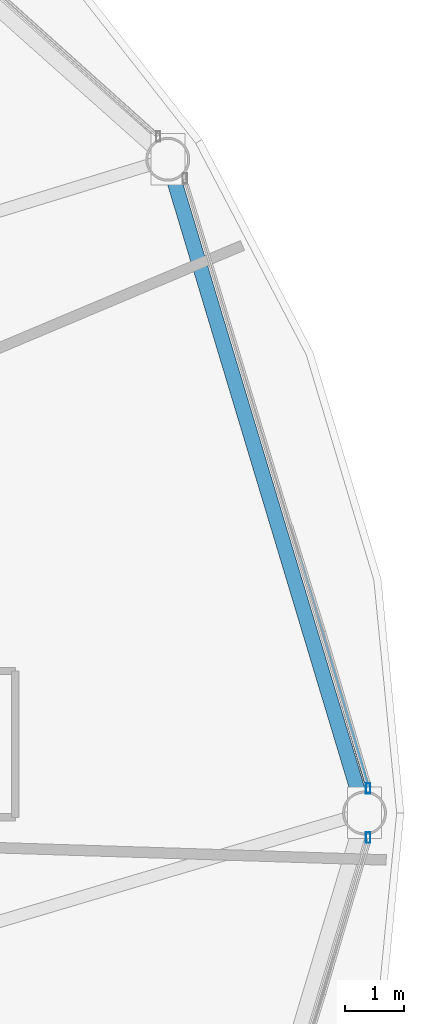
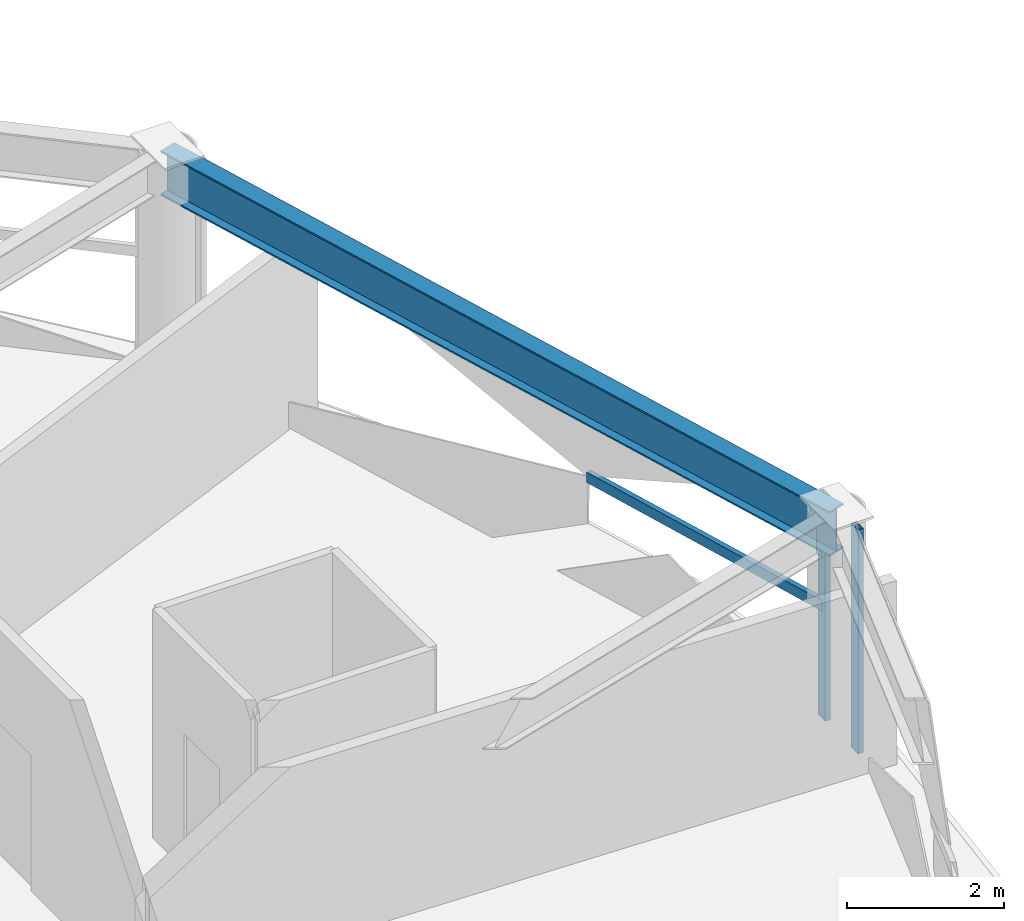
# One storey, part 13 of 30: 3 members, 1 beam, 2 elements without a shape of their own.
"""IFC4 building model written with IfcOpenShell, lengths in metres."""

from ifc_helpers import new_model, si_unit, direction, frame, origin, origin_2d, place, context, subcontext, project, spatial, hollow_rectangle, i_section, extrude, material, layer, layer_set, material_profile, profile_set, type_object, element, aggregate, save


model = new_model("IFC4")

# Units and contexts
model_context = context("Model", 3, precision=1e-05, world=origin(), true_north=direction((0.0, 1.0)))
body_context = subcontext(model_context, "Body", "Model", "MODEL_VIEW")
ifc_project = project(units=[si_unit("LENGTHUNIT", "METRE"), si_unit("AREAUNIT", "SQUARE_METRE"), si_unit("VOLUMEUNIT", "CUBIC_METRE"), si_unit("PLANEANGLEUNIT", "RADIAN"), si_unit("MASSUNIT", "GRAM", prefix="KILO")], contexts=[model_context])

# Site, building, storey
site_placement = place(None, origin())
site = spatial("IfcSite", under=ifc_project, at=site_placement, CompositionType="ELEMENT")
building_placement = place(site_placement, origin())
building = spatial("IfcBuilding", under=site, at=building_placement, Name="Vantalir Tower", CompositionType="ELEMENT")
storey_placement = place(building_placement, frame((0.0, 0.0, 130.949951171875)))
storey = spatial("IfcBuildingStorey", under=building, at=storey_placement, Name="L32", CompositionType="ELEMENT", Elevation=130.949951171875)

# Beam
ifc_material_1 = material(Name="Steel S460", Category="steel")
ifc_material_profile_1 = material_profile(ifc_material_1, i_section(OverallWidth=0.256103515625, OverallDepth=0.693115234375, WebThickness=0.014404296875, FlangeThickness=0.023681640625, at=origin_2d()), Name="Steel S460")
ifc_profile_set_1 = profile_set([ifc_material_profile_1], Name="Steel S460")
beam_type = type_object("IfcBeamType", Name="BM-RG-686x254", PredefinedType="USERDEFINED", material=ifc_profile_set_1)
beam_placement = place(storey_placement, frame((56.593017578125, 25.0, 3.22412109375), z_axis=(-0.288167529417, 0.957580009706, 0.0), x_axis=(-0.957580009706, -0.288167529417, 0.0)))
element("IfcBeam", 1, at=beam_placement, inside=storey, type_object=beam_type, Name="L32 Circumferential Ring Girder 01", ObjectType="GIRDER", PredefinedType="USERDEFINED", context=body_context, shape_type="SweptSolid", body=[
    extrude(i_section(OverallWidth=0.256103515625, OverallDepth=0.693115234375, WebThickness=0.014404296875, FlangeThickness=0.023681640625, at=origin_2d()), origin(), (0.0, 0.0, 1.0), 11.6669921875),
])

# Curtain wall, member
ifc_material_2 = material(Name="Champagne-silver PVDF aluminium and double-silver Low-E glass", Category="aluminium")
ifc_layer = layer(ifc_material_2, 0.199951171875)
ifc_layer_set = layer_set([ifc_layer], Name="Champagne-silver PVDF aluminium and double-silver Low-E glass")
curtain_wall_type = type_object("IfcCurtainWallType", Name="CW-DIAMOND-Z2", PredefinedType="USERDEFINED", material=ifc_layer_set)
curtain_wall_1_placement = place(storey_placement, origin())
curtain_wall_1 = element("IfcCurtainWall", 2, at=curtain_wall_1_placement, inside=storey, type_object=curtain_wall_type, Name="L32 Quilted Pyramid-Diamond Curtain Wall S01", ObjectType="UNITISED CURTAIN WALL", PredefinedType="USERDEFINED")
ifc_material_3 = material(Name="Champagne-silver PVDF aluminium 6063-T6", Category="aluminium")
ifc_material_profile_2 = material_profile(ifc_material_3, hollow_rectangle(XDim=0.074951171875, YDim=0.179931640625, WallThickness=0.00390625, at=origin_2d()), Name="Champagne-silver PVDF aluminium 6063-T6")
ifc_profile_set_2 = profile_set([ifc_material_profile_2], Name="Champagne-silver PVDF aluminium 6063-T6")
member_type_1 = type_object("IfcMemberType", Name="CWM-180x75", PredefinedType="MULLION", material=ifc_profile_set_2)
member_1_placement = place(storey_placement, frame((56.656005859375, 25.4208984375, 0.045166015625), z_axis=(0.0, 0.0, 1.0), x_axis=(1.0, 0.0, 0.0)))
member_1 = element("IfcMember", 3, at=member_1_placement, type_object=member_type_1, Name="CW-L32-S01 Mullion 1", PredefinedType="MULLION", context=body_context, shape_type="SweptSolid", body=[
    extrude(hollow_rectangle(XDim=0.074951171875, YDim=0.179931640625, WallThickness=0.00390625, at=origin_2d()), origin(), (0.0, 0.0, 1.0), 3.47998046875),
])

curtain_wall_2_placement = place(storey_placement, origin())
curtain_wall_2 = element("IfcCurtainWall", 4, at=curtain_wall_2_placement, inside=storey, type_object=curtain_wall_type, Name="L32 Quilted Pyramid-Diamond Curtain Wall S12", ObjectType="UNITISED CURTAIN WALL", PredefinedType="USERDEFINED")
member_2_placement = place(storey_placement, frame((56.656005859375, 24.5791015625, 0.045166015625), z_axis=(0.0, 0.0, 1.0), x_axis=(1.0, 0.0, 0.0)))
member_2 = element("IfcMember", 5, at=member_2_placement, type_object=member_type_1, Name="CW-L32-S12 Mullion 2", PredefinedType="MULLION", context=body_context, shape_type="SweptSolid", body=[
    extrude(hollow_rectangle(XDim=0.074951171875, YDim=0.179931640625, WallThickness=0.00390625, at=origin_2d()), origin(), (0.0, 0.0, 1.0), 3.47998046875),
])
aggregate(curtain_wall_2, [member_2])

# Member
ifc_material_profile_3 = material_profile(ifc_material_3, hollow_rectangle(XDim=0.074951171875, YDim=0.159912109375, WallThickness=0.00390625, at=origin_2d()), Name="Champagne-silver PVDF aluminium 6063-T6")
ifc_profile_set_3 = profile_set([ifc_material_profile_3], Name="Champagne-silver PVDF aluminium 6063-T6")
member_type_2 = type_object("IfcMemberType", Name="CWT-160x75", PredefinedType="USERDEFINED", material=ifc_profile_set_3)
member_3_placement = place(storey_placement, frame((56.656005859375, 25.4208984375, 1.78515625), z_axis=(-0.282278223801, 0.959332582772, 0.0), x_axis=(-0.959332582772, -0.282278223801, 0.0)))
member_3 = element("IfcMember", 6, at=member_3_placement, type_object=member_type_2, Name="CW-L32-S01 Pyramid Fold Ridge Transom", ObjectType="TRANSOM", PredefinedType="USERDEFINED", context=body_context, shape_type="SweptSolid", body=[
    extrude(hollow_rectangle(XDim=0.074951171875, YDim=0.159912109375, WallThickness=0.00390625, at=origin_2d()), origin(), (0.0, 0.0, 1.0), 4.13427734375),
])

aggregate(curtain_wall_1, [member_1, member_3])

save(model, "model.ifc")
